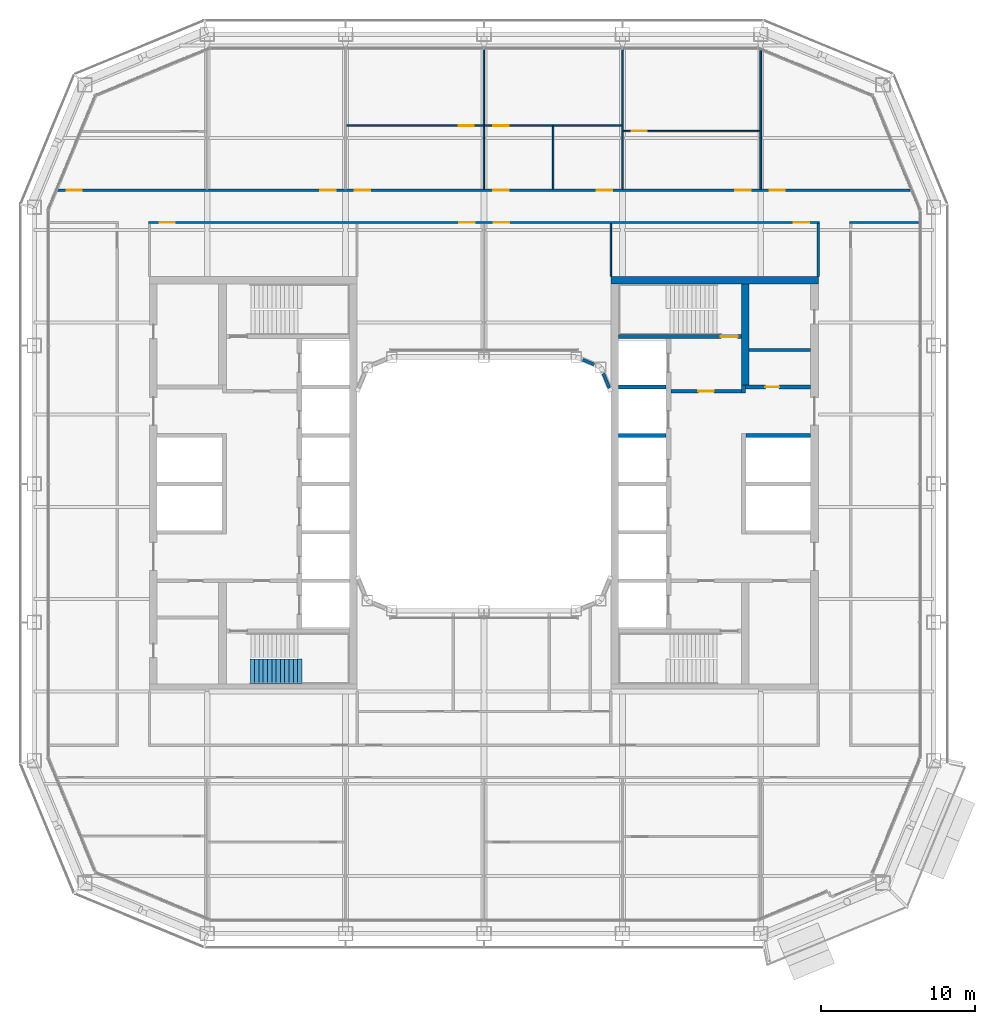
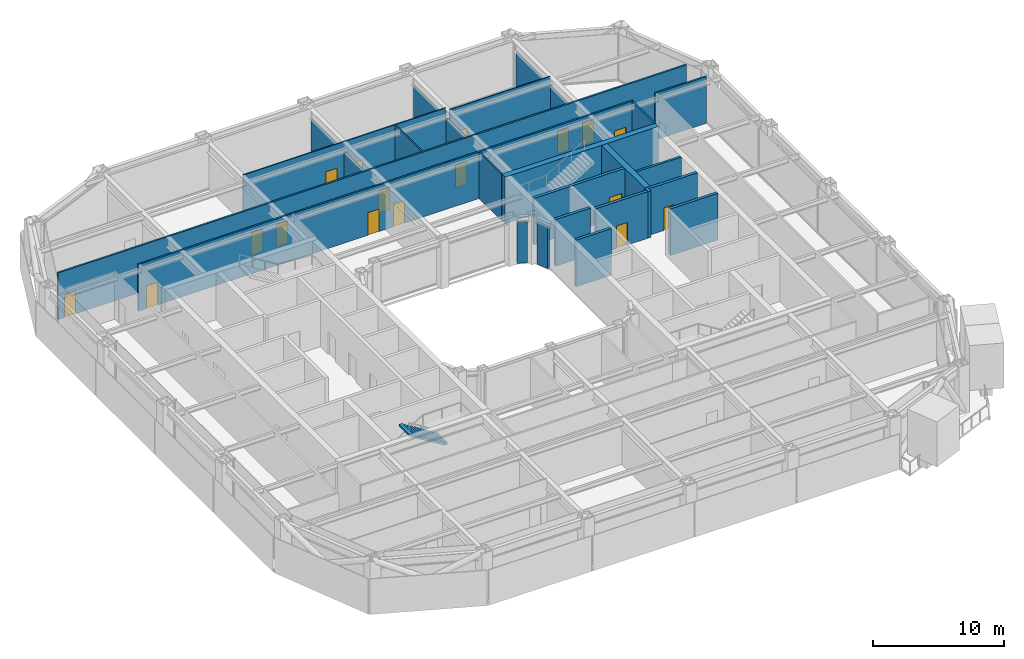
# One storey, part 14 of 23: 24 walls, 17 doors, 1 stair flight, 17 openings, 1 element without a shape of its own.
"""IFC4 building model written with IfcOpenShell, lengths in metres."""

from ifc_helpers import new_model, si_unit, direction, frame, frame_2d, origin, place, context, subcontext, project, spatial, polyline, rectangle, outline, extrude, material, layer, layer_set, type_object, element, fill, aggregate, save


model = new_model("IFC4")

# Units and contexts
model_context = context("Model", 3, precision=1e-05, world=origin(), true_north=direction((0.0, 1.0)))
body_context = subcontext(model_context, "Body", "Model", "MODEL_VIEW")
ifc_project = project(units=[si_unit("LENGTHUNIT", "METRE"), si_unit("AREAUNIT", "SQUARE_METRE"), si_unit("VOLUMEUNIT", "CUBIC_METRE"), si_unit("PLANEANGLEUNIT", "RADIAN"), si_unit("MASSUNIT", "GRAM", prefix="KILO")], contexts=[model_context])

# Site, building, storey
site_placement = place(None, origin())
site = spatial("IfcSite", under=ifc_project, at=site_placement, CompositionType="ELEMENT")
building_placement = place(site_placement, origin())
building = spatial("IfcBuilding", under=site, at=building_placement, Name="Siwar Civic Tower", CompositionType="ELEMENT")
storey_placement = place(building_placement, frame((0.0, 0.0, 109.199951171875)))
storey = spatial("IfcBuildingStorey", under=building, at=storey_placement, Name="L23", CompositionType="ELEMENT", Elevation=109.199951171875)

# Wall
ifc_material_1 = material(Name="Gypsum board on steel studs", Category="steel")
ifc_layer_1 = layer(ifc_material_1, 0.199951171875)
ifc_layer_set_1 = layer_set([ifc_layer_1], Name="Gypsum board on steel studs")
wall_type_1 = type_object("IfcWallType", Name="CORE-PARTITION-200", PredefinedType="PARTITIONING", material=ifc_layer_set_1)
wall_1_placement = place(storey_placement, frame((17.25, 8.699951171875, 0.0), z_axis=(0.0, 0.0, 1.0), x_axis=(1.0, 0.0, 0.0)))
element("IfcWall", 1, at=wall_1_placement, inside=storey, type_object=wall_type_1, Name="Core partition E", PredefinedType="PARTITIONING", context=body_context, shape_type="SweptSolid", body=[
    extrude(rectangle(XDim=4.0, YDim=0.199951171875, at=frame_2d((2.0, 0.0))), origin(), (0.0, 0.0, 1.0), 4.35009765625),
])

# Wall, opening, door
ifc_material_2 = material(Name="Concrete C60/75", Category="concrete")
ifc_layer_2 = layer(ifc_material_2, 0.25)
ifc_layer_set_2 = layer_set([ifc_layer_2], Name="Concrete C60/75")
wall_type_2 = type_object("IfcWallType", Name="CORE-WALL-RC250", PredefinedType="SHEAR", material=ifc_layer_set_2)
wall_2_placement = place(storey_placement, frame((12.14990234375, 6.02490234375, 0.0), z_axis=(0.0, 0.0, 1.0), x_axis=(1.0, 0.0, 0.0)))
wall_2 = element("IfcWall", 2, at=wall_2_placement, inside=storey, type_object=wall_type_2, Name="Core wall E", PredefinedType="SHEAR", context=body_context, shape_type="SweptSolid", body=[
    extrude(rectangle(XDim=4.60009765625, YDim=0.25, at=frame_2d((2.300048828125, 0.0))), origin(), (0.0, 0.0, 1.0), 4.35009765625),
])
opening_1_placement = place(wall_2_placement, frame((1.800048828125, 0.0, 0.0)))
opening_1 = element("IfcOpeningElement", 3, at=opening_1_placement, cuts=wall_2, Name="Opening L23-CE01", PredefinedType="OPENING", context=body_context, shape_type="SweptSolid", body=[
    extrude(rectangle(XDim=1.0, YDim=2.10009765625, at=frame_2d((0.5, 1.050048828125))), frame((0.0, 0.135009765625, 0.0), z_axis=(0.0, -1.0, 0.0), x_axis=(1.0, 0.0, 0.0)), (0.0, 0.0, 1.0), 0.27001953125),
])
ifc_material_3 = material(Name="Steel door leaf", Category="steel")
door_type_1 = type_object("IfcDoorType", Name="CORE-DOOR-FD30S", OperationType="SINGLE_SWING_LEFT", PredefinedType="DOOR", material=ifc_material_3)
door_1_placement = place(opening_1_placement, origin())
door_1 = element("IfcDoor", 4, at=door_1_placement, inside=storey, type_object=door_type_1, Name="Firefighting lobby door L23-CE01", OperationType="SINGLE_SWING_RIGHT", OverallHeight=2.10009765625, OverallWidth=1.0, PredefinedType="DOOR", context=body_context, shape_type="SweptSolid", body=[
    extrude(rectangle(XDim=1.0, YDim=2.10009765625, at=frame_2d((0.5, 1.050048828125))), frame((0.0, 0.02490234375, 0.0), z_axis=(0.0, -1.0, 0.0), x_axis=(1.0, 0.0, 0.0)), (0.0, 0.0, 1.0), 0.050048828125),
])
fill(opening_1, door_1)

# Wall
wall_3_placement = place(storey_placement, frame((16.875, 5.89990234375, 0.0), z_axis=(0.0, 0.0, 1.0), x_axis=(0.0, 1.0, 0.0)))
element("IfcWall", 5, at=wall_3_placement, inside=storey, type_object=wall_type_2, Name="Core wall E", PredefinedType="SHEAR", context=body_context, shape_type="SweptSolid", body=[
    extrude(rectangle(XDim=0.525146484375, YDim=0.25, at=frame_2d((0.2626953125, 0.0))), origin(), (0.0, 0.0, 1.0), 4.35009765625),
])

# Wall, opening, door
wall_4_placement = place(storey_placement, frame((17.0, 6.300048828125, 0.0), z_axis=(0.0, 0.0, 1.0), x_axis=(1.0, 0.0, 0.0)))
wall_4 = element("IfcWall", 6, at=wall_4_placement, inside=storey, type_object=wall_type_2, Name="Core wall E", PredefinedType="SHEAR", context=body_context, shape_type="SweptSolid", body=[
    extrude(rectangle(XDim=4.25, YDim=0.25, at=frame_2d((2.125, 0.0))), origin(), (0.0, 0.0, 1.0), 4.35009765625),
])
opening_2_placement = place(wall_4_placement, frame((1.300048828125, 0.0, 0.0)))
opening_2 = element("IfcOpeningElement", 7, at=opening_2_placement, cuts=wall_4, Name="Opening L23-CE13", PredefinedType="OPENING", context=body_context, shape_type="SweptSolid", body=[
    extrude(rectangle(XDim=0.89990234375, YDim=2.10009765625, at=frame_2d((0.449951171875, 1.050048828125))), frame((0.0, 0.135009765625, 0.0), z_axis=(0.0, -1.0, 0.0), x_axis=(1.0, 0.0, 0.0)), (0.0, 0.0, 1.0), 0.27001953125),
])
ifc_material_4 = material(Name="Steel door leaf", Category="steel")
door_type_2 = type_object("IfcDoorType", Name="CORE-DOOR-ROOM", OperationType="SINGLE_SWING_LEFT", PredefinedType="DOOR", material=ifc_material_4)
door_2_placement = place(opening_2_placement, origin())
door_2 = element("IfcDoor", 8, at=door_2_placement, inside=storey, type_object=door_type_2, Name="Core room door L23-CE13", OperationType="SINGLE_SWING_RIGHT", OverallHeight=2.10009765625, OverallWidth=0.89990234375, PredefinedType="DOOR", context=body_context, shape_type="SweptSolid", body=[
    extrude(rectangle(XDim=0.89990234375, YDim=2.10009765625, at=frame_2d((0.449951171875, 1.050048828125))), frame((0.0, 0.02490234375, 0.0), z_axis=(0.0, -1.0, 0.0), x_axis=(1.0, 0.0, 0.0)), (0.0, 0.0, 1.0), 0.050048828125),
])
fill(opening_2, door_2)

# Walls
wall_5_placement = place(storey_placement, frame((17.050048828125, 3.14990234375, 0.0), z_axis=(0.0, 0.0, 1.0), x_axis=(1.0, 0.0, 0.0)))
element("IfcWall", 9, at=wall_5_placement, inside=storey, type_object=wall_type_2, Name="Core wall E", PredefinedType="SHEAR", context=body_context, shape_type="SweptSolid", body=[
    extrude(rectangle(XDim=4.199951171875, YDim=0.25, at=frame_2d((2.10009765625, 0.0))), origin(), (0.0, 0.0, 1.0), 4.35009765625),
])
for number, where, z_axis, x_axis, name in (
    (10, (8.75, 3.14990234375, 0.0), (0.0, 0.0, 1.0), (1.0, 0.0, 0.0), "Core wall E"),
    (11, (8.75, 6.300048828125, 0.0), (0.0, 0.0, 1.0), (1.0, 0.0, 0.0), "Core wall E"),
):
    element("IfcWall", number, at=place(storey_placement, frame(where, z_axis=z_axis, x_axis=x_axis)), inside=storey, type_object=wall_type_2, Name=name, PredefinedType="SHEAR", context=body_context, shape_type="SweptSolid", body=[
        extrude(rectangle(XDim=3.10009765625, YDim=0.25, at=frame_2d((1.550048828125, 0.0))), origin(), (0.0, 0.0, 1.0), 4.35009765625),
    ])

# Wall, opening, door
wall_6_placement = place(storey_placement, frame((8.75, 9.574951171875, 0.0), z_axis=(0.0, 0.0, 1.0), x_axis=(1.0, 0.0, 0.0)))
wall_6 = element("IfcWall", 12, at=wall_6_placement, inside=storey, type_object=wall_type_2, Name="Core wall E", PredefinedType="SHEAR", context=body_context, shape_type="SweptSolid", body=[
    extrude(rectangle(XDim=8.0, YDim=0.25, at=frame_2d((4.0, 0.0))), origin(), (0.0, 0.0, 1.0), 4.35009765625),
])
opening_3_placement = place(wall_6_placement, frame((6.64990234375, 0.0, 0.0)))
opening_3 = element("IfcOpeningElement", 13, at=opening_3_placement, cuts=wall_6, Name="Opening L23-CE03", PredefinedType="OPENING", context=body_context, shape_type="SweptSolid", body=[
    extrude(rectangle(XDim=1.10009765625, YDim=2.10009765625, at=frame_2d((0.550048828125, 1.050048828125))), frame((0.0, 0.135009765625, 0.0), z_axis=(0.0, -1.0, 0.0), x_axis=(1.0, 0.0, 0.0)), (0.0, 0.0, 1.0), 0.27001953125),
])
ifc_material_5 = material(Name="Steel door leaf", Category="steel")
door_type_3 = type_object("IfcDoorType", Name="CORE-DOOR-FD60S", OperationType="SINGLE_SWING_LEFT", PredefinedType="DOOR", material=ifc_material_5)
door_3_placement = place(opening_3_placement, origin())
door_3 = element("IfcDoor", 14, at=door_3_placement, inside=storey, type_object=door_type_3, Name="Stair door L23-CE03", OperationType="SINGLE_SWING_LEFT", OverallHeight=2.10009765625, OverallWidth=1.10009765625, PredefinedType="DOOR", context=body_context, shape_type="SweptSolid", body=[
    extrude(rectangle(XDim=1.10009765625, YDim=2.10009765625, at=frame_2d((0.550048828125, 1.050048828125))), frame((0.0, 0.02490234375, 0.0), z_axis=(0.0, -1.0, 0.0), x_axis=(1.0, 0.0, 0.0)), (0.0, 0.0, 1.0), 0.050048828125),
])
fill(opening_3, door_3)

# Walls
ifc_material_6 = material(Name="Concrete C60/75", Category="concrete")
ifc_layer_3 = layer(ifc_material_6, 0.5)
ifc_layer_set_3 = layer_set([ifc_layer_3], Name="Concrete C60/75")
wall_type_3 = type_object("IfcWallType", Name="CORE-WALL-RC500", PredefinedType="SHEAR", material=ifc_layer_set_3)
wall_7_placement = place(storey_placement, frame((17.0, 6.425048828125, 0.0), z_axis=(0.0, 0.0, 1.0), x_axis=(0.0, 1.0, 0.0)))
element("IfcWall", 15, at=wall_7_placement, inside=storey, type_object=wall_type_3, Name="Core wall E", PredefinedType="SHEAR", context=body_context, shape_type="SweptSolid", body=[
    extrude(rectangle(XDim=6.574951171875, YDim=0.5, at=frame_2d((3.28759765625, 0.0))), origin(), (0.0, 0.0, 1.0), 4.35009765625),
])
wall_8_placement = place(storey_placement, frame((8.25, 13.25, 0.0), z_axis=(0.0, 0.0, 1.0), x_axis=(1.0, 0.0, 0.0)))
element("IfcWall", 16, at=wall_8_placement, inside=storey, type_object=wall_type_3, Name="Core wall E", PredefinedType="SHEAR", context=body_context, shape_type="SweptSolid", body=[
    extrude(rectangle(XDim=13.5, YDim=0.5, at=frame_2d((6.75, 0.0))), origin(), (0.0, 0.0, 1.0), 4.35009765625),
])

# Wall, openings, doors
ifc_material_7 = material(Name="Gypsum board on steel studs", Category="steel")
ifc_layer_4 = layer(ifc_material_7, 0.14990234375)
ifc_layer_set_4 = layer_set([ifc_layer_4], Name="Gypsum board on steel studs")
wall_type_4 = type_object("IfcWallType", Name="CORRIDOR PARTITION 150 EI 30", PredefinedType="PARTITIONING", material=ifc_layer_set_4)
wall_9_placement = place(storey_placement, frame((-21.824951171875, 17.0, 0.0), z_axis=(0.0, 0.0, 1.0), x_axis=(1.0, 0.0, 0.0)))
wall_9 = element("IfcWall", 17, at=wall_9_placement, inside=storey, type_object=wall_type_4, Name="L23/wall/P12", PredefinedType="PARTITIONING", context=body_context, shape_type="SweptSolid", body=[
    extrude(rectangle(XDim=43.64990234375, YDim=0.14990234375, at=frame_2d((21.824951171875, 0.0))), origin(), (0.0, 0.0, 1.0), 4.35009765625),
])
opening_4_placement = place(wall_9_placement, frame((20.22509765625, 0.0, 0.0)))
opening_4 = element("IfcOpeningElement", 18, at=opening_4_placement, cuts=wall_9, Name="Opening D1", PredefinedType="OPENING", context=body_context, shape_type="SweptSolid", body=[
    extrude(rectangle(XDim=1.0, YDim=2.10009765625, at=frame_2d((0.5, 1.050048828125))), frame((0.0, 0.0849609375, 0.0), z_axis=(0.0, -1.0, 0.0), x_axis=(1.0, 0.0, 0.0)), (0.0, 0.0, 1.0), 0.169921875),
])
opening_5_placement = place(wall_9_placement, frame((22.47509765625, 0.0, 0.0)))
opening_5 = element("IfcOpeningElement", 19, at=opening_5_placement, cuts=wall_9, Name="Opening D1", PredefinedType="OPENING", context=body_context, shape_type="SweptSolid", body=[
    extrude(rectangle(XDim=1.0, YDim=2.10009765625, at=frame_2d((0.5, 1.050048828125))), frame((0.0, 0.0849609375, 0.0), z_axis=(0.0, -1.0, 0.0), x_axis=(1.0, 0.0, 0.0)), (0.0, 0.0, 1.0), 0.169921875),
])
opening_6_placement = place(wall_9_placement, frame((0.72509765625, 0.0, 0.0)))
opening_6 = element("IfcOpeningElement", 20, at=opening_6_placement, cuts=wall_9, Name="Opening D1", PredefinedType="OPENING", context=body_context, shape_type="SweptSolid", body=[
    extrude(rectangle(XDim=1.0, YDim=2.10009765625, at=frame_2d((0.5, 1.050048828125))), frame((0.0, 0.0849609375, 0.0), z_axis=(0.0, -1.0, 0.0), x_axis=(1.0, 0.0, 0.0)), (0.0, 0.0, 1.0), 0.169921875),
])
opening_7_placement = place(wall_9_placement, frame((41.97509765625, 0.0, 0.0)))
opening_7 = element("IfcOpeningElement", 21, at=opening_7_placement, cuts=wall_9, Name="Opening D1", PredefinedType="OPENING", context=body_context, shape_type="SweptSolid", body=[
    extrude(rectangle(XDim=1.0, YDim=2.10009765625, at=frame_2d((0.5, 1.050048828125))), frame((0.0, 0.0849609375, 0.0), z_axis=(0.0, -1.0, 0.0), x_axis=(1.0, 0.0, 0.0)), (0.0, 0.0, 1.0), 0.169921875),
])
ifc_material_8 = material(Name="Timber, painted", Category="wood")
door_type_4 = type_object("IfcDoorType", Name="DOOR 1000 X 2100 FD30", OperationType="SINGLE_SWING_LEFT", PredefinedType="DOOR", material=ifc_material_8)
door_4_placement = place(opening_4_placement, origin())
door_4 = element("IfcDoor", 22, at=door_4_placement, inside=storey, type_object=door_type_4, Name="L23-D22", OperationType="SINGLE_SWING_RIGHT", OverallHeight=2.10009765625, OverallWidth=1.0, PredefinedType="DOOR", context=body_context, shape_type="SweptSolid", body=[
    extrude(rectangle(XDim=1.0, YDim=2.10009765625, at=frame_2d((0.5, 1.050048828125))), frame((0.0, 0.02490234375, 0.0), z_axis=(0.0, -1.0, 0.0), x_axis=(1.0, 0.0, 0.0)), (0.0, 0.0, 1.0), 0.050048828125),
])
fill(opening_4, door_4)
door_5_placement = place(opening_5_placement, origin())
door_5 = element("IfcDoor", 23, at=door_5_placement, inside=storey, type_object=door_type_4, Name="L23-D23", OperationType="SINGLE_SWING_LEFT", OverallHeight=2.10009765625, OverallWidth=1.0, PredefinedType="DOOR", context=body_context, shape_type="SweptSolid", body=[
    extrude(rectangle(XDim=1.0, YDim=2.10009765625, at=frame_2d((0.5, 1.050048828125))), frame((0.0, 0.02490234375, 0.0), z_axis=(0.0, -1.0, 0.0), x_axis=(1.0, 0.0, 0.0)), (0.0, 0.0, 1.0), 0.050048828125),
])
fill(opening_5, door_5)
door_6_placement = place(opening_6_placement, origin())
door_6 = element("IfcDoor", 24, at=door_6_placement, inside=storey, type_object=door_type_4, Name="L23-D29", OperationType="SINGLE_SWING_LEFT", OverallHeight=2.10009765625, OverallWidth=1.0, PredefinedType="DOOR", context=body_context, shape_type="SweptSolid", body=[
    extrude(rectangle(XDim=1.0, YDim=2.10009765625, at=frame_2d((0.5, 1.050048828125))), frame((0.0, 0.02490234375, 0.0), z_axis=(0.0, -1.0, 0.0), x_axis=(1.0, 0.0, 0.0)), (0.0, 0.0, 1.0), 0.050048828125),
])
fill(opening_6, door_6)
door_7_placement = place(opening_7_placement, origin())
door_7 = element("IfcDoor", 25, at=door_7_placement, inside=storey, type_object=door_type_4, Name="L23-D30", OperationType="SINGLE_SWING_RIGHT", OverallHeight=2.10009765625, OverallWidth=1.0, PredefinedType="DOOR", context=body_context, shape_type="SweptSolid", body=[
    extrude(rectangle(XDim=1.0, YDim=2.10009765625, at=frame_2d((0.5, 1.050048828125))), frame((0.0, 0.02490234375, 0.0), z_axis=(0.0, -1.0, 0.0), x_axis=(1.0, 0.0, 0.0)), (0.0, 0.0, 1.0), 0.050048828125),
])
fill(opening_7, door_7)

# Wall
wall_10_placement = place(storey_placement, frame((23.77490234375, 17.0, 0.0), z_axis=(0.0, 0.0, 1.0), x_axis=(1.0, 0.0, 0.0)))
element("IfcWall", 26, at=wall_10_placement, inside=storey, type_object=wall_type_4, Name="L23/wall/P13", PredefinedType="PARTITIONING", context=body_context, shape_type="SweptSolid", body=[
    extrude(rectangle(XDim=4.485107421875, YDim=0.14990234375, at=frame_2d((2.24267578125, 0.0))), origin(), (0.0, 0.0, 1.0), 4.35009765625),
])

# Wall, openings, doors
wall_11_placement = place(storey_placement, frame((-27.722900390625, 19.10009765625, 0.0), z_axis=(0.0, 0.0, 1.0), x_axis=(1.0, 0.0, 0.0)))
wall_11 = element("IfcWall", 27, at=wall_11_placement, inside=storey, type_object=wall_type_4, Name="L23/wall/P14", PredefinedType="PARTITIONING", context=body_context, shape_type="SweptSolid", body=[
    extrude(rectangle(XDim=55.44580078125, YDim=0.14990234375, at=frame_2d((27.722900390625, 0.0))), origin(), (0.0, 0.0, 1.0), 4.35009765625),
])
opening_8_placement = place(wall_11_placement, frame((17.072998046875, 0.0, 0.0)))
opening_8 = element("IfcOpeningElement", 28, at=opening_8_placement, cuts=wall_11, Name="Opening D1", PredefinedType="OPENING", context=body_context, shape_type="SweptSolid", body=[
    extrude(rectangle(XDim=1.0, YDim=2.10009765625, at=frame_2d((0.5, 1.050048828125))), frame((0.0, 0.0849609375, 0.0), z_axis=(0.0, -1.0, 0.0), x_axis=(1.0, 0.0, 0.0)), (0.0, 0.0, 1.0), 0.169921875),
])
opening_9_placement = place(wall_11_placement, frame((19.322998046875, 0.0, 0.0)))
opening_9 = element("IfcOpeningElement", 29, at=opening_9_placement, cuts=wall_11, Name="Opening D1", PredefinedType="OPENING", context=body_context, shape_type="SweptSolid", body=[
    extrude(rectangle(XDim=1.0, YDim=2.10009765625, at=frame_2d((0.5, 1.050048828125))), frame((0.0, 0.0849609375, 0.0), z_axis=(0.0, -1.0, 0.0), x_axis=(1.0, 0.0, 0.0)), (0.0, 0.0, 1.0), 0.169921875),
])
opening_10_placement = place(wall_11_placement, frame((28.322998046875, 0.0, 0.0)))
opening_10 = element("IfcOpeningElement", 30, at=opening_10_placement, cuts=wall_11, Name="Opening D1", PredefinedType="OPENING", context=body_context, shape_type="SweptSolid", body=[
    extrude(rectangle(XDim=1.0, YDim=2.10009765625, at=frame_2d((0.5, 1.050048828125))), frame((0.0, 0.0849609375, 0.0), z_axis=(0.0, -1.0, 0.0), x_axis=(1.0, 0.0, 0.0)), (0.0, 0.0, 1.0), 0.169921875),
])
opening_11_placement = place(wall_11_placement, frame((35.072998046875, 0.0, 0.0)))
opening_11 = element("IfcOpeningElement", 31, at=opening_11_placement, cuts=wall_11, Name="Opening D1", PredefinedType="OPENING", context=body_context, shape_type="SweptSolid", body=[
    extrude(rectangle(XDim=1.0, YDim=2.10009765625, at=frame_2d((0.5, 1.050048828125))), frame((0.0, 0.0849609375, 0.0), z_axis=(0.0, -1.0, 0.0), x_axis=(1.0, 0.0, 0.0)), (0.0, 0.0, 1.0), 0.169921875),
])
opening_12_placement = place(wall_11_placement, frame((44.072998046875, 0.0, 0.0)))
opening_12 = element("IfcOpeningElement", 32, at=opening_12_placement, cuts=wall_11, Name="Opening D1", PredefinedType="OPENING", context=body_context, shape_type="SweptSolid", body=[
    extrude(rectangle(XDim=1.0, YDim=2.10009765625, at=frame_2d((0.5, 1.050048828125))), frame((0.0, 0.0849609375, 0.0), z_axis=(0.0, -1.0, 0.0), x_axis=(1.0, 0.0, 0.0)), (0.0, 0.0, 1.0), 0.169921875),
])
opening_13_placement = place(wall_11_placement, frame((0.572998046875, 0.0, 0.0)))
opening_13 = element("IfcOpeningElement", 33, at=opening_13_placement, cuts=wall_11, Name="Opening D1", PredefinedType="OPENING", context=body_context, shape_type="SweptSolid", body=[
    extrude(rectangle(XDim=1.0, YDim=2.10009765625, at=frame_2d((0.5, 1.050048828125))), frame((0.0, 0.0849609375, 0.0), z_axis=(0.0, -1.0, 0.0), x_axis=(1.0, 0.0, 0.0)), (0.0, 0.0, 1.0), 0.169921875),
])
opening_14_placement = place(wall_11_placement, frame((46.2958984375, 0.0, 0.0)))
opening_14 = element("IfcOpeningElement", 34, at=opening_14_placement, cuts=wall_11, Name="Opening D1", PredefinedType="OPENING", context=body_context, shape_type="SweptSolid", body=[
    extrude(rectangle(XDim=1.0, YDim=2.10009765625, at=frame_2d((0.5, 1.050048828125))), frame((0.0, 0.0849609375, 0.0), z_axis=(0.0, -1.0, 0.0), x_axis=(1.0, 0.0, 0.0)), (0.0, 0.0, 1.0), 0.169921875),
])
door_8_placement = place(opening_8_placement, origin())
door_8 = element("IfcDoor", 35, at=door_8_placement, inside=storey, type_object=door_type_4, Name="L23-D01", OperationType="SINGLE_SWING_LEFT", OverallHeight=2.10009765625, OverallWidth=1.0, PredefinedType="DOOR", context=body_context, shape_type="SweptSolid", body=[
    extrude(rectangle(XDim=1.0, YDim=2.10009765625, at=frame_2d((0.5, 1.050048828125))), frame((0.0, 0.02490234375, 0.0), z_axis=(0.0, -1.0, 0.0), x_axis=(1.0, 0.0, 0.0)), (0.0, 0.0, 1.0), 0.050048828125),
])
fill(opening_8, door_8)
door_9_placement = place(opening_9_placement, origin())
door_9 = element("IfcDoor", 36, at=door_9_placement, inside=storey, type_object=door_type_4, Name="L23-D02", OperationType="SINGLE_SWING_RIGHT", OverallHeight=2.10009765625, OverallWidth=1.0, PredefinedType="DOOR", context=body_context, shape_type="SweptSolid", body=[
    extrude(rectangle(XDim=1.0, YDim=2.10009765625, at=frame_2d((0.5, 1.050048828125))), frame((0.0, 0.02490234375, 0.0), z_axis=(0.0, -1.0, 0.0), x_axis=(1.0, 0.0, 0.0)), (0.0, 0.0, 1.0), 0.050048828125),
])
fill(opening_9, door_9)
door_10_placement = place(opening_10_placement, origin())
door_10 = element("IfcDoor", 37, at=door_10_placement, inside=storey, type_object=door_type_4, Name="L23-D04", OperationType="SINGLE_SWING_RIGHT", OverallHeight=2.10009765625, OverallWidth=1.0, PredefinedType="DOOR", context=body_context, shape_type="SweptSolid", body=[
    extrude(rectangle(XDim=1.0, YDim=2.10009765625, at=frame_2d((0.5, 1.050048828125))), frame((0.0, 0.02490234375, 0.0), z_axis=(0.0, -1.0, 0.0), x_axis=(1.0, 0.0, 0.0)), (0.0, 0.0, 1.0), 0.050048828125),
])
fill(opening_10, door_10)
door_11_placement = place(opening_11_placement, origin())
door_11 = element("IfcDoor", 38, at=door_11_placement, inside=storey, type_object=door_type_4, Name="L23-D05", OperationType="SINGLE_SWING_LEFT", OverallHeight=2.10009765625, OverallWidth=1.0, PredefinedType="DOOR", context=body_context, shape_type="SweptSolid", body=[
    extrude(rectangle(XDim=1.0, YDim=2.10009765625, at=frame_2d((0.5, 1.050048828125))), frame((0.0, 0.02490234375, 0.0), z_axis=(0.0, -1.0, 0.0), x_axis=(1.0, 0.0, 0.0)), (0.0, 0.0, 1.0), 0.050048828125),
])
fill(opening_11, door_11)
door_12_placement = place(opening_12_placement, origin())
door_12 = element("IfcDoor", 39, at=door_12_placement, inside=storey, type_object=door_type_4, Name="L23-D07", OperationType="SINGLE_SWING_LEFT", OverallHeight=2.10009765625, OverallWidth=1.0, PredefinedType="DOOR", context=body_context, shape_type="SweptSolid", body=[
    extrude(rectangle(XDim=1.0, YDim=2.10009765625, at=frame_2d((0.5, 1.050048828125))), frame((0.0, 0.02490234375, 0.0), z_axis=(0.0, -1.0, 0.0), x_axis=(1.0, 0.0, 0.0)), (0.0, 0.0, 1.0), 0.050048828125),
])
fill(opening_12, door_12)
door_13_placement = place(opening_13_placement, origin())
door_13 = element("IfcDoor", 40, at=door_13_placement, inside=storey, type_object=door_type_4, Name="L23-D16", OperationType="SINGLE_SWING_RIGHT", OverallHeight=2.10009765625, OverallWidth=1.0, PredefinedType="DOOR", context=body_context, shape_type="SweptSolid", body=[
    extrude(rectangle(XDim=1.0, YDim=2.10009765625, at=frame_2d((0.5, 1.050048828125))), frame((0.0, 0.02490234375, 0.0), z_axis=(0.0, -1.0, 0.0), x_axis=(1.0, 0.0, 0.0)), (0.0, 0.0, 1.0), 0.050048828125),
])
fill(opening_13, door_13)
door_14_placement = place(opening_14_placement, origin())
door_14 = element("IfcDoor", 41, at=door_14_placement, inside=storey, type_object=door_type_4, Name="L23-D18", OperationType="SINGLE_SWING_RIGHT", OverallHeight=2.10009765625, OverallWidth=1.0, PredefinedType="DOOR", context=body_context, shape_type="SweptSolid", body=[
    extrude(rectangle(XDim=1.0, YDim=2.10009765625, at=frame_2d((0.5, 1.050048828125))), frame((0.0, 0.02490234375, 0.0), z_axis=(0.0, -1.0, 0.0), x_axis=(1.0, 0.0, 0.0)), (0.0, 0.0, 1.0), 0.050048828125),
])
fill(opening_14, door_14)

# Walls
wall_12_placement = place(storey_placement, frame((21.75, 13.5, 0.0), z_axis=(0.0, 0.0, 1.0), x_axis=(0.0, 1.0, 0.0)))
element("IfcWall", 42, at=wall_12_placement, inside=storey, type_object=wall_type_4, Name="L23/wall/P43", PredefinedType="PARTITIONING", context=body_context, shape_type="SweptSolid", body=[
    extrude(rectangle(XDim=3.425048828125, YDim=0.14990234375, at=frame_2d((1.71240234375, 0.0))), origin(), (0.0, 0.0, 1.0), 4.35009765625),
])
ifc_material_9 = material(Name="Aluminium clad insulated panel", Category="aluminium")
ifc_layer_5 = layer(ifc_material_9, 0.199951171875)
ifc_layer_set_5 = layer_set([ifc_layer_5], Name="Aluminium clad insulated panel")
wall_type_5 = type_object("IfcWallType", Name="ENV-WALL-WELL", PredefinedType="STANDARD", material=ifc_layer_set_5)
wall_13_placement = place(storey_placement, frame((8.154296875, 6.23095703125, 0.0), z_axis=(0.0, 0.0, 1.0), x_axis=(-0.382769662028, 0.923843810301, 0.0)))
element("IfcWall", 43, at=wall_13_placement, inside=storey, type_object=wall_type_5, Name="Light well corner wall NE1", PredefinedType="STANDARD", context=body_context, shape_type="SweptSolid", body=[
    extrude(rectangle(XDim=1.014892578125, YDim=0.199951171875, at=frame_2d((0.50732421875, 0.0))), origin(), (0.0, 0.0, 1.0), 3.825927734375),
])
wall_14_placement = place(storey_placement, frame((7.16845703125, 7.765869140625, 0.0), z_axis=(0.0, 0.0, 1.0), x_axis=(-0.923817771127, 0.382832503518, 0.0)))
element("IfcWall", 44, at=wall_14_placement, inside=storey, type_object=wall_type_5, Name="Light well corner wall NE2", PredefinedType="STANDARD", context=body_context, shape_type="SweptSolid", body=[
    extrude(rectangle(XDim=0.807373046875, YDim=0.199951171875, at=frame_2d((0.40380859375, 0.0))), origin(), (0.0, 0.0, 1.0), 3.825927734375),
])

# Wall, opening, door
ifc_material_10 = material(Name="Gypsum board on steel studs", Category="steel")
ifc_layer_6 = layer(ifc_material_10, 0.10009765625)
ifc_layer_set_6 = layer_set([ifc_layer_6], Name="Gypsum board on steel studs")
wall_type_6 = type_object("IfcWallType", Name="PARTITION 100 GYPSUM", PredefinedType="PARTITIONING", material=ifc_layer_set_6)
wall_15_placement = place(storey_placement, frame((9.050048828125, 22.947021484375, 0.0), z_axis=(0.0, 0.0, 1.0), x_axis=(1.0, 0.0, 0.0)))
wall_15 = element("IfcWall", 45, at=wall_15_placement, inside=storey, type_object=wall_type_6, Name="L23/wall/P16", PredefinedType="PARTITIONING", context=body_context, shape_type="SweptSolid", body=[
    extrude(rectangle(XDim=8.89990234375, YDim=0.10009765625, at=frame_2d((4.449951171875, 0.0))), origin(), (0.0, 0.0, 1.0), 4.35009765625),
])
opening_15_placement = place(wall_15_placement, frame((0.550048828125, 0.0, 0.0)))
opening_15 = element("IfcOpeningElement", 46, at=opening_15_placement, cuts=wall_15, Name="Opening D2", PredefinedType="OPENING", context=body_context, shape_type="SweptSolid", body=[
    extrude(rectangle(XDim=1.0, YDim=2.10009765625, at=frame_2d((0.5, 1.050048828125))), frame((0.0, 0.06005859375, 0.0), z_axis=(0.0, -1.0, 0.0), x_axis=(1.0, 0.0, 0.0)), (0.0, 0.0, 1.0), 0.1201171875),
])
ifc_material_11 = material(Name="Timber, painted", Category="wood")
door_type_5 = type_object("IfcDoorType", Name="DOOR 1000 X 2100", OperationType="SINGLE_SWING_LEFT", PredefinedType="DOOR", material=ifc_material_11)
door_15_placement = place(opening_15_placement, origin())
door_15 = element("IfcDoor", 47, at=door_15_placement, inside=storey, type_object=door_type_5, Name="L23-D08", OperationType="SINGLE_SWING_RIGHT", OverallHeight=2.10009765625, OverallWidth=1.0, PredefinedType="DOOR", context=body_context, shape_type="SweptSolid", body=[
    extrude(rectangle(XDim=1.0, YDim=2.10009765625, at=frame_2d((0.5, 1.050048828125))), frame((0.0, 0.02490234375, 0.0), z_axis=(0.0, -1.0, 0.0), x_axis=(1.0, 0.0, 0.0)), (0.0, 0.0, 1.0), 0.050048828125),
])
fill(opening_15, door_15)

# Wall, openings, doors
wall_16_placement = place(storey_placement, frame((-8.949951171875, 23.300048828125, 0.0), z_axis=(0.0, 0.0, 1.0), x_axis=(1.0, 0.0, 0.0)))
wall_16 = element("IfcWall", 48, at=wall_16_placement, inside=storey, type_object=wall_type_6, Name="L23/wall/P17", PredefinedType="PARTITIONING", context=body_context, shape_type="SweptSolid", body=[
    extrude(rectangle(XDim=17.89990234375, YDim=0.10009765625, at=frame_2d((8.949951171875, 0.0))), origin(), (0.0, 0.0, 1.0), 4.35009765625),
])
opening_16_placement = place(wall_16_placement, frame((7.300048828125, 0.0, 0.0)))
opening_16 = element("IfcOpeningElement", 49, at=opening_16_placement, cuts=wall_16, Name="Opening D2", PredefinedType="OPENING", context=body_context, shape_type="SweptSolid", body=[
    extrude(rectangle(XDim=1.0, YDim=2.10009765625, at=frame_2d((0.5, 1.050048828125))), frame((0.0, 0.06005859375, 0.0), z_axis=(0.0, -1.0, 0.0), x_axis=(1.0, 0.0, 0.0)), (0.0, 0.0, 1.0), 0.1201171875),
])
opening_17_placement = place(wall_16_placement, frame((9.550048828125, 0.0, 0.0)))
opening_17 = element("IfcOpeningElement", 50, at=opening_17_placement, cuts=wall_16, Name="Opening D2", PredefinedType="OPENING", context=body_context, shape_type="SweptSolid", body=[
    extrude(rectangle(XDim=1.0, YDim=2.10009765625, at=frame_2d((0.5, 1.050048828125))), frame((0.0, 0.06005859375, 0.0), z_axis=(0.0, -1.0, 0.0), x_axis=(1.0, 0.0, 0.0)), (0.0, 0.0, 1.0), 0.1201171875),
])
door_16_placement = place(opening_16_placement, origin())
door_16 = element("IfcDoor", 51, at=door_16_placement, inside=storey, type_object=door_type_5, Name="L23-D03", OperationType="SINGLE_SWING_LEFT", OverallHeight=2.10009765625, OverallWidth=1.0, PredefinedType="DOOR", context=body_context, shape_type="SweptSolid", body=[
    extrude(rectangle(XDim=1.0, YDim=2.10009765625, at=frame_2d((0.5, 1.050048828125))), frame((0.0, 0.02490234375, 0.0), z_axis=(0.0, -1.0, 0.0), x_axis=(1.0, 0.0, 0.0)), (0.0, 0.0, 1.0), 0.050048828125),
])
fill(opening_16, door_16)
door_17_placement = place(opening_17_placement, origin())
door_17 = element("IfcDoor", 52, at=door_17_placement, inside=storey, type_object=door_type_5, Name="L23-D06", OperationType="SINGLE_SWING_RIGHT", OverallHeight=2.10009765625, OverallWidth=1.0, PredefinedType="DOOR", context=body_context, shape_type="SweptSolid", body=[
    extrude(rectangle(XDim=1.0, YDim=2.10009765625, at=frame_2d((0.5, 1.050048828125))), frame((0.0, 0.02490234375, 0.0), z_axis=(0.0, -1.0, 0.0), x_axis=(1.0, 0.0, 0.0)), (0.0, 0.0, 1.0), 0.050048828125),
])
fill(opening_17, door_17)

# Walls
wall_17_placement = place(storey_placement, frame((0.0, 19.175048828125, 0.0), z_axis=(0.0, 0.0, 1.0), x_axis=(0.0, 1.0, 0.0)))
element("IfcWall", 53, at=wall_17_placement, inside=storey, type_object=wall_type_6, Name="L23/wall/P30", PredefinedType="PARTITIONING", context=body_context, shape_type="SweptSolid", body=[
    extrude(rectangle(XDim=4.074951171875, YDim=0.10009765625, at=frame_2d((2.03759765625, 0.0))), origin(), (0.0, 0.0, 1.0), 3.449951171875),
])
wall_18_placement = place(storey_placement, frame((0.0, 23.35009765625, 0.0), z_axis=(0.0, 0.0, 1.0), x_axis=(0.0, 1.0, 0.0)))
element("IfcWall", 54, at=wall_18_placement, inside=storey, type_object=wall_type_6, Name="L23/wall/P31", PredefinedType="PARTITIONING", context=body_context, shape_type="SweptSolid", body=[
    extrude(rectangle(XDim=4.909912109375, YDim=0.10009765625, at=frame_2d((2.455078125, 0.0))), origin(), (0.0, 0.0, 1.0), 3.449951171875),
])
wall_19_placement = place(storey_placement, frame((4.5, 19.175048828125, 0.0), z_axis=(0.0, 0.0, 1.0), x_axis=(0.0, 1.0, 0.0)))
element("IfcWall", 55, at=wall_19_placement, inside=storey, type_object=wall_type_6, Name="L23/wall/P33", PredefinedType="PARTITIONING", context=body_context, shape_type="SweptSolid", body=[
    extrude(rectangle(XDim=4.074951171875, YDim=0.10009765625, at=frame_2d((2.03759765625, 0.0))), origin(), (0.0, 0.0, 1.0), 4.35009765625),
])
wall_20_placement = place(storey_placement, frame((8.25, 13.5, 0.0), z_axis=(0.0, 0.0, 1.0), x_axis=(0.0, 1.0, 0.0)))
element("IfcWall", 56, at=wall_20_placement, inside=storey, type_object=wall_type_6, Name="L23/wall/P35", PredefinedType="PARTITIONING", context=body_context, shape_type="SweptSolid", body=[
    extrude(rectangle(XDim=3.425048828125, YDim=0.10009765625, at=frame_2d((1.71240234375, 0.0))), origin(), (0.0, 0.0, 1.0), 4.35009765625),
])
wall_21_placement = place(storey_placement, frame((9.0, 19.175048828125, 0.0), z_axis=(0.0, 0.0, 1.0), x_axis=(0.0, 1.0, 0.0)))
element("IfcWall", 57, at=wall_21_placement, inside=storey, type_object=wall_type_6, Name="L23/wall/P39", PredefinedType="PARTITIONING", context=body_context, shape_type="SweptSolid", body=[
    extrude(rectangle(XDim=9.0849609375, YDim=0.10009765625, at=frame_2d((4.54248046875, 0.0))), origin(), (0.0, 0.0, 1.0), 3.449951171875),
])
wall_22_placement = place(storey_placement, frame((18.0, 19.175048828125, 0.0), z_axis=(0.0, 0.0, 1.0), x_axis=(0.0, 1.0, 0.0)))
element("IfcWall", 58, at=wall_22_placement, inside=storey, type_object=wall_type_6, Name="L23/wall/P41", PredefinedType="PARTITIONING", context=body_context, shape_type="SweptSolid", body=[
    extrude(rectangle(XDim=9.0029296875, YDim=0.10009765625, at=frame_2d((4.50146484375, 0.0))), origin(), (0.0, 0.0, 1.0), 3.449951171875),
])

# Stair, stair flight
ifc_material_12 = material(Name="Concrete C40/50", Category="concrete")
stair_type = type_object("IfcStairType", Name="CORE-STAIR", PredefinedType="TWO_STRAIGHT_RUN_STAIR", material=ifc_material_12)
stair_placement = place(storey_placement, origin())
stair = element("IfcStair", 59, at=stair_placement, inside=storey, type_object=stair_type, Name="Exit stair ST2", PredefinedType="TWO_STRAIGHT_RUN_STAIR")
ifc_material_13 = material(Name="Concrete C40/50", Category="concrete")
stair_flight_type = type_object("IfcStairFlightType", Name="CORE-STAIR-FLIGHT", PredefinedType="STRAIGHT", material=ifc_material_13)
stair_flight_placement = place(storey_placement, frame((-11.840087890625, -12.199951171875, 2.25), z_axis=(0.0, 0.0, 1.0), x_axis=(-1.0, 0.0, 0.0)))
stair_flight = element("IfcStairFlight", 60, at=stair_flight_placement, type_object=stair_flight_type, Name="ST2 flight 2", NumberOfRisers=13, NumberOfTreads=12, PredefinedType="STRAIGHT", RiserHeight=0.173076923, TreadLength=0.28, context=body_context, shape_type="SweptSolid", body=[
    extrude(outline(polyline([(0.0, 0.0), (0.0, 0.173095703125), (0.280029296875, 0.173095703125), (0.280029296875, 0.34619140625), (0.56005859375, 0.34619140625), (0.56005859375, 0.519287109375), (0.840087890625, 0.519287109375), (0.840087890625, 0.6923828125), (1.1201171875, 0.6923828125), (1.1201171875, 0.865478515625), (1.39990234375, 0.865478515625), (1.39990234375, 1.03857421875), (1.679931640625, 1.03857421875), (1.679931640625, 1.21142578125), (1.9599609375, 1.21142578125), (1.9599609375, 1.384521484375), (2.239990234375, 1.384521484375), (2.239990234375, 1.5576171875), (2.52001953125, 1.5576171875), (2.52001953125, 1.730712890625), (2.800048828125, 1.730712890625), (2.800048828125, 1.90380859375), (3.080078125, 1.90380859375), (3.080078125, 2.076904296875), (3.360107421875, 2.076904296875), (3.360107421875, 2.25), (3.360107421875, 1.900634765625), (0.28515625, 0.0), (0.0, 0.0)])), frame((0.0, 0.800048828125, 0.0), z_axis=(0.0, -1.0, 0.0), x_axis=(1.0, 0.0, 0.0)), (0.0, 0.0, 1.0), 1.60009765625),
])
aggregate(stair, [stair_flight])

save(model, "model.ifc")
